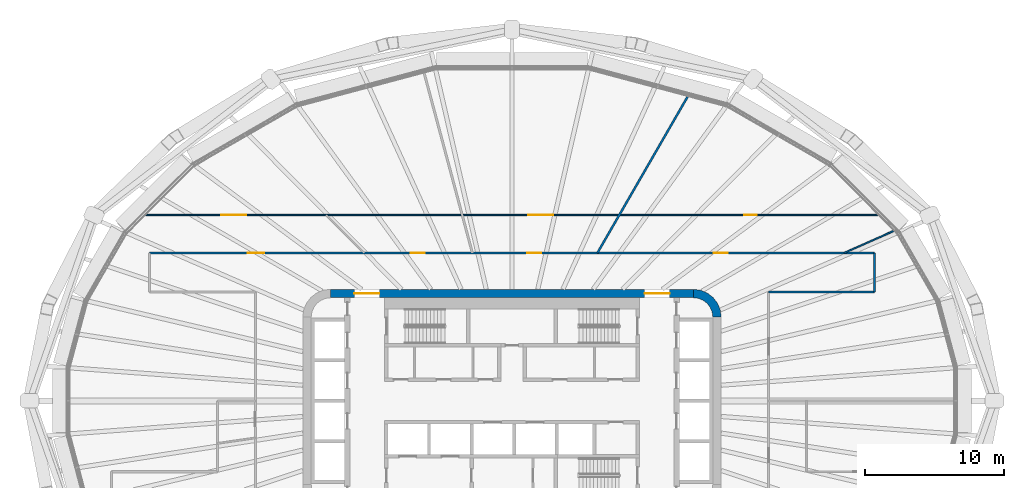
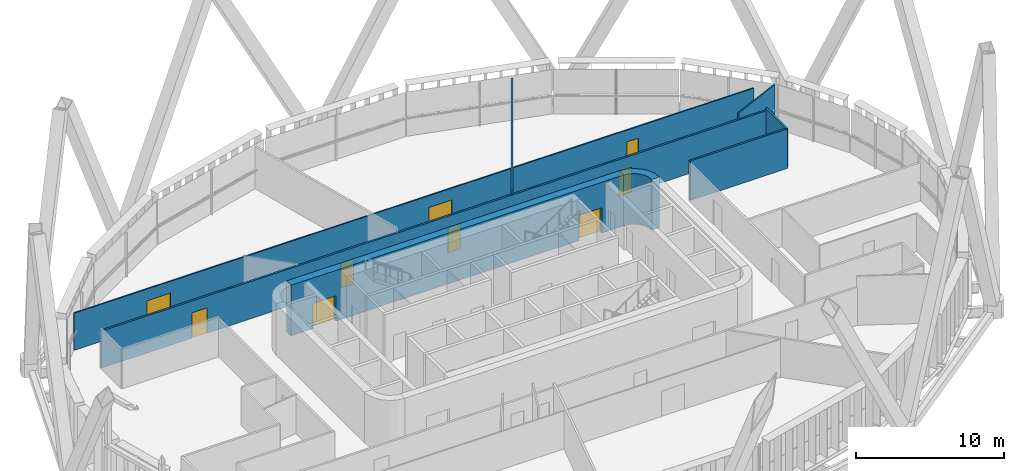
# One storey, part 17 of 25: 9 doors, 8 walls, 9 openings.
"""IFC4 building model written with IfcOpenShell, lengths in metres."""

import ifcopenshell
import ifcopenshell.guid

model = None  # the IFC model being written
_history = None  # IfcOwnerHistory: only IFC2X3 demands one
_inside = {}  # id of a spatial element -> (the spatial element, [elements in it])
_under = {}  # id of a project, library or spatial element -> (it, [spatial elements below it])
_declared = {}  # id of a project -> (the project, [libraries it declares])
_typed = {}  # id of a type object -> (the type object, [elements of that type])
_made_of = {}  # id of a material, layer set ... -> (it, [elements and type objects made of it])


def new_model(schema):
    """Start an empty IFC model of exactly this schema.

    Asked for "IFC4X3", IfcOpenShell would pick the latest addendum, in which some entities
    have other attributes; the version numbers below select the first issue.
    IFC2X3 requires an IfcOwnerHistory on every rooted entity: one is made here for all.
    """
    global model, _history
    if schema == "IFC4X3":
        model = ifcopenshell.file(schema_version=(4, 3, 0, 0))
    else:
        model = ifcopenshell.file(schema=schema)
    _inside.clear()
    _under.clear()
    _declared.clear()
    _typed.clear()
    _made_of.clear()
    _history = None
    if model.schema == "IFC2X3":
        org = make("IfcOrganization", Name="unknown")
        user = make(
            "IfcPersonAndOrganization",
            ThePerson=make("IfcPerson", FamilyName="unknown"),
            TheOrganization=org,
        )
        app = make(
            "IfcApplication",
            ApplicationDeveloper=org,
            Version="unknown",
            ApplicationFullName="unknown",
            ApplicationIdentifier="unknown",
        )
        _history = make(
            "IfcOwnerHistory",
            OwningUser=user,
            OwningApplication=app,
            ChangeAction="ADDED",
            CreationDate=0,
        )
    return model


def make(cls, **values):
    """One entity of the class cls with the attributes given. An attribute that is None is left unset."""
    return model.create_entity(
        cls, **{name: value for name, value in values.items() if value is not None}
    )


def rooted(cls, **values):
    """An entity with a GlobalId (a new one), such as an element, a storey or a relation."""
    return make(cls, GlobalId=ifcopenshell.guid.new(), OwnerHistory=_history, **values)


def si_unit(unit_type, name, prefix=None):
    """IfcSIUnit, for example si_unit("LENGTHUNIT", "METRE", prefix="MILLI")."""
    return make("IfcSIUnit", UnitType=unit_type, Prefix=prefix, Name=name)


def assignment(units):
    """IfcUnitAssignment: the units of a project."""
    return None if units is None else make("IfcUnitAssignment", Units=units)


def point(xyz):
    """IfcCartesianPoint."""
    return None if xyz is None else make("IfcCartesianPoint", Coordinates=xyz)


def direction(xyz):
    """IfcDirection."""
    return None if xyz is None else make("IfcDirection", DirectionRatios=xyz)


def frame(location, z_axis=None, x_axis=None):
    """IfcAxis2Placement3D, a coordinate frame: its origin and axes. An axis left out is left unset."""
    return make(
        "IfcAxis2Placement3D",
        Location=point(location),
        Axis=direction(z_axis),
        RefDirection=direction(x_axis),
    )


def frame_2d(location, x_axis=None):
    """IfcAxis2Placement2D, a coordinate frame in the plane: its origin and x axis."""
    return make(
        "IfcAxis2Placement2D", Location=point(location), RefDirection=direction(x_axis)
    )


def origin():
    """The frame at (0, 0, 0) with its axes left unset."""
    return frame((0.0, 0.0, 0.0))


def place(relative_to, where):
    """IfcLocalPlacement: puts the frame where relative to a parent placement (None: the world)."""
    return make(
        "IfcLocalPlacement", PlacementRelTo=relative_to, RelativePlacement=where
    )


def context(
    kind, dimensions, precision=None, world=None, true_north=None, identifier=None
):
    """IfcGeometricRepresentationContext, for example the 3D "Model" context."""
    return make(
        "IfcGeometricRepresentationContext",
        ContextIdentifier=identifier,
        ContextType=kind,
        CoordinateSpaceDimension=dimensions,
        Precision=precision,
        WorldCoordinateSystem=world,
        TrueNorth=true_north,
    )


def subcontext(parent, identifier, kind, view, scale=None):
    """IfcGeometricRepresentationSubContext, for example "Body" below "Model"."""
    return make(
        "IfcGeometricRepresentationSubContext",
        ContextIdentifier=identifier,
        ContextType=kind,
        ParentContext=parent,
        TargetScale=scale,
        TargetView=view,
    )


def project(units=None, contexts=None):
    """IfcProject with its units and contexts."""
    return rooted(
        "IfcProject",
        Name="project",
        RepresentationContexts=contexts,
        UnitsInContext=assignment(units),
    )


def spatial(cls, under=None, at=None, **own):
    """A site, building, storey or space (cls), placed at a placement, below another one or the project."""
    s = rooted(cls, ObjectPlacement=at, **own)
    if under is not None:
        _under.setdefault(under.id(), (under, []))[1].append(s)
    return s


def polyline(points):
    """IfcPolyline through the points."""
    return make("IfcPolyline", Points=[point(p) for p in points])


def profile(cls, at=None, kind="AREA", **sizes):
    """A parametric profile (cls). Its sizes go by their IFC names, for example OverallWidth=200.0."""
    return make(cls, ProfileType=kind, Position=at, **sizes)


def rectangle(**sizes):
    """IfcRectangleProfileDef."""
    return profile("IfcRectangleProfileDef", **sizes)


def outline(outer, holes=None, kind="AREA"):
    """IfcArbitraryClosedProfileDef: a profile drawn as a closed curve; with holes, ...WithVoids."""
    if holes is None:
        return make("IfcArbitraryClosedProfileDef", ProfileType=kind, OuterCurve=outer)
    return make(
        "IfcArbitraryProfileDefWithVoids",
        ProfileType=kind,
        OuterCurve=outer,
        InnerCurves=holes,
    )


def extrude(swept, where, along, depth):
    """IfcExtrudedAreaSolid: the profile swept, set in the frame where, extruded along a direction by depth."""
    return make(
        "IfcExtrudedAreaSolid",
        SweptArea=swept,
        Position=where,
        ExtrudedDirection=direction(along),
        Depth=depth,
    )


def shape(context_of_items, identifier, shape_type, items):
    """IfcShapeRepresentation: the items that make up one representation, for example the "Body"."""
    return make(
        "IfcShapeRepresentation",
        ContextOfItems=context_of_items,
        RepresentationIdentifier=identifier,
        RepresentationType=shape_type,
        Items=items,
    )


def material(Name=None, Category=None):
    """IfcMaterial."""
    return make("IfcMaterial", Name=Name, Category=Category)


def layer(
    of_material, thickness, ventilated=None, Name=None, Category=None, Priority=None
):
    """IfcMaterialLayer: one layer of a wall or slab, of a material (None: an air gap)."""
    return make(
        "IfcMaterialLayer",
        Material=of_material,
        LayerThickness=thickness,
        IsVentilated=ventilated,
        Name=Name,
        Category=Category,
        Priority=Priority,
    )


def layer_set(layers, Name=None):
    """IfcMaterialLayerSet."""
    return make("IfcMaterialLayerSet", MaterialLayers=layers, LayerSetName=Name)


def made_of(thing, what):
    """Note that an element or type object is made of a material, layer set ...; save() writes the relation."""
    if what is not None:
        _made_of.setdefault(what.id(), (what, []))[1].append(thing)
    return thing


def type_object(cls, material=None, **own):
    """A type object (cls), such as IfcWallType, which elements share."""
    return made_of(rooted(cls, **own), material)


def element(
    cls,
    number,
    at=None,
    inside=None,
    cuts=None,
    type_object=None,
    material=None,
    context=None,
    identifier="Body",
    shape_type=None,
    held_by="IfcProductDefinitionShape",
    body=None,
    shapes=None,
    **own,
):
    """One element of the class cls, such as IfcWall. Its Tag is "e" and its number.

    at: its placement. inside: the storey or other place that contains it. cuts: it is an
    opening in that element (IfcRelVoidsElement). A single representation is given by context,
    identifier, shape_type and body (its items); several are given by shapes. held_by: the class
    of the entity that holds the representations. save() writes the other relations.
    """
    e = rooted(cls, Tag="e%d" % number, ObjectPlacement=at, **own)
    if body is not None:
        shapes = [shape(context, identifier, shape_type, body)]
    if shapes is not None:
        e.Representation = make(held_by, Representations=shapes)
    if inside is not None:
        _inside.setdefault(inside.id(), (inside, []))[1].append(e)
    if cuts is not None:
        rooted(
            "IfcRelVoidsElement", RelatingBuildingElement=cuts, RelatedOpeningElement=e
        )
    if type_object is not None:
        _typed.setdefault(type_object.id(), (type_object, []))[1].append(e)
    return made_of(e, material)


def fill(opening, filler):
    """IfcRelFillsElement: the door or window that sits in an opening."""
    return rooted(
        "IfcRelFillsElement",
        RelatingOpeningElement=opening,
        RelatedBuildingElement=filler,
    )


def aggregate(whole, parts):
    """IfcRelAggregates: a whole, such as a stair, and the parts it consists of."""
    return rooted("IfcRelAggregates", RelatingObject=whole, RelatedObjects=parts)


def save(model, path):
    """Write the relations noted so far, then the file.

    IfcRelAggregates (storeys below a building ...), IfcRelContainedInSpatialStructure (elements
    in a storey), IfcRelDefinesByType, IfcRelAssociatesMaterial and IfcRelDeclares: one each for
    every whole, place, type object, material and project.
    """
    for whole, parts in _under.values():
        aggregate(whole, parts)
    for where, things in _inside.values():
        rooted(
            "IfcRelContainedInSpatialStructure",
            RelatedElements=things,
            RelatingStructure=where,
        )
    for kind, things in _typed.values():
        rooted("IfcRelDefinesByType", RelatedObjects=things, RelatingType=kind)
    for what, things in _made_of.values():
        rooted("IfcRelAssociatesMaterial", RelatedObjects=things, RelatingMaterial=what)
    for by, libraries in _declared.values():
        rooted("IfcRelDeclares", RelatingContext=by, RelatedDefinitions=libraries)
    model.write(path)


model = new_model("IFC4")

# Units and contexts
model_context = context("Model", 3, precision=1e-05, world=origin(), true_north=direction((0.0, 1.0)))
body_context = subcontext(model_context, "Body", "Model", "MODEL_VIEW")
ifc_project = project(units=[si_unit("LENGTHUNIT", "METRE"), si_unit("AREAUNIT", "SQUARE_METRE"), si_unit("VOLUMEUNIT", "CUBIC_METRE"), si_unit("PLANEANGLEUNIT", "RADIAN"), si_unit("MASSUNIT", "GRAM", prefix="KILO")], contexts=[model_context])

# Site, building, storey
site_placement = place(None, origin())
site = spatial("IfcSite", under=ifc_project, at=site_placement, CompositionType="ELEMENT")
building_placement = place(site_placement, origin())
building = spatial("IfcBuilding", under=site, at=building_placement, Name="Sahrelin Media Tower", CompositionType="ELEMENT")
storey_placement = place(building_placement, frame((0.0, 0.0, 114.60009765625)))
storey = spatial("IfcBuildingStorey", under=building, at=storey_placement, Name="L22", CompositionType="ELEMENT", Elevation=114.60009765625)

# Wall, openings, doors
ifc_material_1 = material(Name="Concrete C60/75", Category="concrete")
ifc_layer_1 = layer(ifc_material_1, 0.60009765625)
ifc_layer_set_1 = layer_set([ifc_layer_1], Name="Core wall 600")
wall_type_1 = type_object("IfcWallType", Name="Core wall 600", PredefinedType="SHEAR", material=ifc_layer_set_1)
wall_1_placement = place(storey_placement, frame((-13.0, 7.699951171875, 0.0), z_axis=(0.0, 0.0, 1.0), x_axis=(1.0, 0.0, 0.0)))
wall_1 = element("IfcWall", 1, at=wall_1_placement, inside=storey, type_object=wall_type_1, Name="Core wall N L22", PredefinedType="SHEAR", context=body_context, shape_type="SweptSolid", body=[
    extrude(rectangle(XDim=26.0, YDim=0.60009765625, at=frame_2d((13.0, 0.0))), origin(), (0.0, 0.0, 1.0), 4.199951171875),
])
opening_1_placement = place(wall_1_placement, frame((1.699951171875, 0.0, 0.0)))
opening_1 = element("IfcOpeningElement", 2, at=opening_1_placement, cuts=wall_1, Name="Opening L22-D18", PredefinedType="OPENING", context=body_context, shape_type="SweptSolid", body=[
    extrude(rectangle(XDim=1.800048828125, YDim=2.10009765625, at=frame_2d((0.89990234375, 1.050048828125))), frame((0.0, 0.300048828125, 0.0), z_axis=(0.0, -1.0, 0.0), x_axis=(1.0, 0.0, 0.0)), (0.0, 0.0, 1.0), 0.60009765625),
])
opening_2_placement = place(wall_1_placement, frame((22.5, 0.0, 0.0)))
opening_2 = element("IfcOpeningElement", 3, at=opening_2_placement, cuts=wall_1, Name="Opening L22-D19", PredefinedType="OPENING", context=body_context, shape_type="SweptSolid", body=[
    extrude(rectangle(XDim=1.800048828125, YDim=2.10009765625, at=frame_2d((0.89990234375, 1.050048828125))), frame((0.0, 0.300048828125, 0.0), z_axis=(0.0, -1.0, 0.0), x_axis=(1.0, 0.0, 0.0)), (0.0, 0.0, 1.0), 0.60009765625),
])
ifc_material_2 = material(Name="Steel fire door leaf", Category="steel")
door_type_1 = type_object("IfcDoorType", Name="Lobby double door 1800 x 2100 EI 60", OperationType="DOUBLE_DOOR_SINGLE_SWING", PredefinedType="DOOR", material=ifc_material_2)
door_1_placement = place(opening_1_placement, origin())
door_1 = element("IfcDoor", 4, at=door_1_placement, inside=storey, type_object=door_type_1, Name="Lobby door", OperationType="DOUBLE_DOOR_SINGLE_SWING", OverallHeight=2.10009765625, OverallWidth=1.800048828125, PredefinedType="DOOR", context=body_context, shape_type="SweptSolid", body=[
    extrude(rectangle(XDim=1.800048828125, YDim=2.10009765625, at=frame_2d((0.89990234375, 1.050048828125))), frame((0.0, 0.02490234375, 0.0), z_axis=(0.0, -1.0, 0.0), x_axis=(1.0, 0.0, 0.0)), (0.0, 0.0, 1.0), 0.050048828125),
])
fill(opening_1, door_1)
door_2_placement = place(opening_2_placement, origin())
door_2 = element("IfcDoor", 5, at=door_2_placement, inside=storey, type_object=door_type_1, Name="Lobby door", OperationType="DOUBLE_DOOR_SINGLE_SWING", OverallHeight=2.10009765625, OverallWidth=1.800048828125, PredefinedType="DOOR", context=body_context, shape_type="SweptSolid", body=[
    extrude(rectangle(XDim=1.800048828125, YDim=2.10009765625, at=frame_2d((0.89990234375, 1.050048828125))), frame((0.0, 0.02490234375, 0.0), z_axis=(0.0, -1.0, 0.0), x_axis=(1.0, 0.0, 0.0)), (0.0, 0.0, 1.0), 0.050048828125),
])
fill(opening_2, door_2)

# Walls
wall_2_placement = place(storey_placement, origin())
element("IfcWall", 6, at=wall_2_placement, inside=storey, type_object=wall_type_1, Name="Core wall corner NE L22", PredefinedType="SHEAR", context=body_context, shape_type="SweptSolid", body=[
    extrude(outline(polyline([(13.0, 8.0), (13.0, 7.394775390625), (13.361083984375, 7.347412109375), (13.697509765625, 7.2080078125), (13.986328125, 6.986328125), (14.2080078125, 6.697509765625), (14.347412109375, 6.361083984375), (14.394775390625, 6.0), (15.0, 6.0), (14.931884765625, 6.517578125), (14.732177734375, 7.0), (14.414306640625, 7.414306640625), (14.0, 7.732177734375), (13.517578125, 7.931884765625), (13.0, 8.0)])), origin(), (0.0, 0.0, 1.0), 4.199951171875),
])
ifc_material_3 = material(Name="Fire-rated gypsum board partition")
ifc_layer_2 = layer(ifc_material_3, 0.14990234375)
ifc_layer_set_2 = layer_set([ifc_layer_2], Name="Fire-rated partition 150")
wall_type_2 = type_object("IfcWallType", Name="Fire-rated partition 150", PredefinedType="PARTITIONING", material=ifc_layer_set_2)
wall_3_placement = place(storey_placement, frame((18.39990234375, 7.800048828125, 0.0), z_axis=(0.0, 0.0, 1.0), x_axis=(1.0, 0.0, 0.0)))
element("IfcWall", 7, at=wall_3_placement, inside=storey, type_object=wall_type_2, Name="Wall", PredefinedType="PARTITIONING", context=body_context, shape_type="SweptSolid", body=[
    extrude(rectangle(XDim=7.60009765625, YDim=0.14990234375, at=frame_2d((3.800048828125, 0.0))), origin(), (0.0, 0.0, 1.0), 3.27587890625),
])

# Wall, openings, doors
wall_4_placement = place(storey_placement, frame((-26.0, 10.60009765625, 0.0), z_axis=(0.0, 0.0, 1.0), x_axis=(1.0, 0.0, 0.0)))
wall_4 = element("IfcWall", 8, at=wall_4_placement, inside=storey, type_object=wall_type_2, Name="Wall", PredefinedType="PARTITIONING", context=body_context, shape_type="SweptSolid", body=[
    extrude(rectangle(XDim=52.0, YDim=0.14990234375, at=frame_2d((26.0, 0.0))), origin(), (0.0, 0.0, 1.0), 3.076904296875),
])
opening_3_placement = place(wall_4_placement, frame((18.7294921875, 0.0, 0.0)))
opening_3 = element("IfcOpeningElement", 9, at=opening_3_placement, cuts=wall_4, Name="Opening L22-D22", PredefinedType="OPENING", context=body_context, shape_type="SweptSolid", body=[
    extrude(rectangle(XDim=1.0, YDim=2.10009765625, at=frame_2d((0.5, 1.050048828125))), frame((0.0, 0.074951171875, 0.0), z_axis=(0.0, -1.0, 0.0), x_axis=(1.0, 0.0, 0.0)), (0.0, 0.0, 1.0), 0.14990234375),
])
opening_4_placement = place(wall_4_placement, frame((7.049560546875, 0.0, 0.0)))
opening_4 = element("IfcOpeningElement", 10, at=opening_4_placement, cuts=wall_4, Name="Opening L22-D23", PredefinedType="OPENING", context=body_context, shape_type="SweptSolid", body=[
    extrude(rectangle(XDim=1.199951171875, YDim=2.10009765625, at=frame_2d((0.60009765625, 1.050048828125))), frame((0.0, 0.074951171875, 0.0), z_axis=(0.0, -1.0, 0.0), x_axis=(1.0, 0.0, 0.0)), (0.0, 0.0, 1.0), 0.14990234375),
])
opening_5_placement = place(wall_4_placement, frame((40.464111328125, 0.0, 0.0)))
opening_5 = element("IfcOpeningElement", 11, at=opening_5_placement, cuts=wall_4, Name="Opening L22-D36", PredefinedType="OPENING", context=body_context, shape_type="SweptSolid", body=[
    extrude(rectangle(XDim=1.0, YDim=2.10009765625, at=frame_2d((0.5, 1.050048828125))), frame((0.0, 0.074951171875, 0.0), z_axis=(0.0, -1.0, 0.0), x_axis=(1.0, 0.0, 0.0)), (0.0, 0.0, 1.0), 0.14990234375),
])
opening_6_placement = place(wall_4_placement, frame((27.089599609375, 0.0, 0.0)))
opening_6 = element("IfcOpeningElement", 12, at=opening_6_placement, cuts=wall_4, Name="Opening L22-D38", PredefinedType="OPENING", context=body_context, shape_type="SweptSolid", body=[
    extrude(rectangle(XDim=1.0, YDim=2.10009765625, at=frame_2d((0.5, 1.050048828125))), frame((0.0, 0.074951171875, 0.0), z_axis=(0.0, -1.0, 0.0), x_axis=(1.0, 0.0, 0.0)), (0.0, 0.0, 1.0), 0.14990234375),
])
door_type_2 = type_object("IfcDoorType", Name="Fire door 1000 x 2100 EI 60", OperationType="NOTDEFINED", PredefinedType="DOOR", material=ifc_material_2)
door_3_placement = place(opening_3_placement, origin())
door_3 = element("IfcDoor", 13, at=door_3_placement, inside=storey, type_object=door_type_2, Name="Fire door", OperationType="SINGLE_SWING_RIGHT", OverallHeight=2.10009765625, OverallWidth=1.0, PredefinedType="DOOR", context=body_context, shape_type="SweptSolid", body=[
    extrude(rectangle(XDim=1.0, YDim=2.10009765625, at=frame_2d((0.5, 1.050048828125))), frame((0.0, 0.02490234375, 0.0), z_axis=(0.0, -1.0, 0.0), x_axis=(1.0, 0.0, 0.0)), (0.0, 0.0, 1.0), 0.050048828125),
])
fill(opening_3, door_3)
door_4_placement = place(opening_5_placement, origin())
door_4 = element("IfcDoor", 14, at=door_4_placement, inside=storey, type_object=door_type_2, Name="Fire door", OperationType="SINGLE_SWING_LEFT", OverallHeight=2.10009765625, OverallWidth=1.0, PredefinedType="DOOR", context=body_context, shape_type="SweptSolid", body=[
    extrude(rectangle(XDim=1.0, YDim=2.10009765625, at=frame_2d((0.5, 1.050048828125))), frame((0.0, 0.02490234375, 0.0), z_axis=(0.0, -1.0, 0.0), x_axis=(1.0, 0.0, 0.0)), (0.0, 0.0, 1.0), 0.050048828125),
])
fill(opening_5, door_4)
door_5_placement = place(opening_6_placement, origin())
door_5 = element("IfcDoor", 15, at=door_5_placement, inside=storey, type_object=door_type_2, Name="Fire door", OperationType="SINGLE_SWING_LEFT", OverallHeight=2.10009765625, OverallWidth=1.0, PredefinedType="DOOR", context=body_context, shape_type="SweptSolid", body=[
    extrude(rectangle(XDim=1.0, YDim=2.10009765625, at=frame_2d((0.5, 1.050048828125))), frame((0.0, 0.02490234375, 0.0), z_axis=(0.0, -1.0, 0.0), x_axis=(1.0, 0.0, 0.0)), (0.0, 0.0, 1.0), 0.050048828125),
])
fill(opening_6, door_5)
door_type_3 = type_object("IfcDoorType", Name="Service double door 1200 x 2100 EI 60", OperationType="DOUBLE_DOOR_SINGLE_SWING", PredefinedType="DOOR", material=ifc_material_2)
door_6_placement = place(opening_4_placement, origin())
door_6 = element("IfcDoor", 16, at=door_6_placement, inside=storey, type_object=door_type_3, Name="Service double door", OperationType="DOUBLE_DOOR_SINGLE_SWING", OverallHeight=2.10009765625, OverallWidth=1.199951171875, PredefinedType="DOOR", context=body_context, shape_type="SweptSolid", body=[
    extrude(rectangle(XDim=1.199951171875, YDim=2.10009765625, at=frame_2d((0.60009765625, 1.050048828125))), frame((0.0, 0.02490234375, 0.0), z_axis=(0.0, -1.0, 0.0), x_axis=(1.0, 0.0, 0.0)), (0.0, 0.0, 1.0), 0.050048828125),
])
fill(opening_4, door_6)

# Walls
wall_5_placement = place(storey_placement, frame((6.1201171875, 10.60009765625, 0.0), z_axis=(0.0, 0.0, 1.0), x_axis=(0.499961617088, 0.866047563035, 0.0)))
element("IfcWall", 17, at=wall_5_placement, inside=storey, type_object=wall_type_2, Name="Wall", PredefinedType="PARTITIONING", context=body_context, shape_type="SweptSolid", body=[
    extrude(rectangle(XDim=13.19580078125, YDim=0.14990234375, at=frame_2d((6.597900390625, 0.0))), origin(), (0.0, 0.0, 1.0), 3.45166015625),
])
wall_6_placement = place(storey_placement, frame((26.0, 7.800048828125, 0.0), z_axis=(0.0, 0.0, 1.0), x_axis=(0.0, 1.0, 0.0)))
element("IfcWall", 18, at=wall_6_placement, inside=storey, type_object=wall_type_2, Name="Wall", PredefinedType="PARTITIONING", context=body_context, shape_type="SweptSolid", body=[
    extrude(rectangle(XDim=2.800048828125, YDim=0.14990234375, at=frame_2d((1.39990234375, 0.0))), origin(), (0.0, 0.0, 1.0), 3.27587890625),
])

# Wall, openings, doors
ifc_material_4 = material(Name="Gypsum board partition")
ifc_layer_3 = layer(ifc_material_4, 0.10009765625)
ifc_layer_set_3 = layer_set([ifc_layer_3], Name="Partition 100")
wall_type_3 = type_object("IfcWallType", Name="Partition 100", PredefinedType="PARTITIONING", material=ifc_layer_set_3)
wall_7_placement = place(storey_placement, frame((-26.5859375, 13.320068359375, 0.0), z_axis=(0.0, 0.0, 1.0), x_axis=(1.0, 0.0, 0.0)))
wall_7 = element("IfcWall", 19, at=wall_7_placement, inside=storey, type_object=wall_type_3, Name="Wall", PredefinedType="PARTITIONING", context=body_context, shape_type="SweptSolid", body=[
    extrude(rectangle(XDim=53.171875, YDim=0.10009765625, at=frame_2d((26.5859375, 0.0))), origin(), (0.0, 0.0, 1.0), 3.076904296875),
])
opening_7_placement = place(wall_7_placement, frame((5.73291015625, 0.0, 0.0)))
opening_7 = element("IfcOpeningElement", 20, at=opening_7_placement, cuts=wall_7, Name="Opening L22-D24", PredefinedType="OPENING", context=body_context, shape_type="SweptSolid", body=[
    extrude(rectangle(XDim=1.800048828125, YDim=2.10009765625, at=frame_2d((0.89990234375, 1.050048828125))), frame((0.0, 0.050048828125, 0.0), z_axis=(0.0, -1.0, 0.0), x_axis=(1.0, 0.0, 0.0)), (0.0, 0.0, 1.0), 0.10009765625),
])
opening_8_placement = place(wall_7_placement, frame((43.2236328125, 0.0, 0.0)))
opening_8 = element("IfcOpeningElement", 21, at=opening_8_placement, cuts=wall_7, Name="Opening L22-D37", PredefinedType="OPENING", context=body_context, shape_type="SweptSolid", body=[
    extrude(rectangle(XDim=0.89990234375, YDim=2.10009765625, at=frame_2d((0.449951171875, 1.050048828125))), frame((0.0, 0.050048828125, 0.0), z_axis=(0.0, -1.0, 0.0), x_axis=(1.0, 0.0, 0.0)), (0.0, 0.0, 1.0), 0.10009765625),
])
opening_9_placement = place(wall_7_placement, frame((27.74658203125, 0.0, 0.0)))
opening_9 = element("IfcOpeningElement", 22, at=opening_9_placement, cuts=wall_7, Name="Opening L22-D39", PredefinedType="OPENING", context=body_context, shape_type="SweptSolid", body=[
    extrude(rectangle(XDim=1.800048828125, YDim=2.10009765625, at=frame_2d((0.89990234375, 1.050048828125))), frame((0.0, 0.050048828125, 0.0), z_axis=(0.0, -1.0, 0.0), x_axis=(1.0, 0.0, 0.0)), (0.0, 0.0, 1.0), 0.10009765625),
])
ifc_material_5 = material(Name="Timber door leaf", Category="wood")
door_type_4 = type_object("IfcDoorType", Name="Double door 1800 x 2100", OperationType="DOUBLE_DOOR_SINGLE_SWING", PredefinedType="DOOR", material=ifc_material_5)
door_7_placement = place(opening_7_placement, origin())
door_7 = element("IfcDoor", 23, at=door_7_placement, inside=storey, type_object=door_type_4, Name="Double door", OperationType="DOUBLE_DOOR_SINGLE_SWING", OverallHeight=2.10009765625, OverallWidth=1.800048828125, PredefinedType="DOOR", context=body_context, shape_type="SweptSolid", body=[
    extrude(rectangle(XDim=1.800048828125, YDim=2.10009765625, at=frame_2d((0.89990234375, 1.050048828125))), frame((0.0, 0.02490234375, 0.0), z_axis=(0.0, -1.0, 0.0), x_axis=(1.0, 0.0, 0.0)), (0.0, 0.0, 1.0), 0.050048828125),
])
fill(opening_7, door_7)
door_8_placement = place(opening_9_placement, origin())
door_8 = element("IfcDoor", 24, at=door_8_placement, inside=storey, type_object=door_type_4, Name="Double door", OperationType="DOUBLE_DOOR_SINGLE_SWING", OverallHeight=2.10009765625, OverallWidth=1.800048828125, PredefinedType="DOOR", context=body_context, shape_type="SweptSolid", body=[
    extrude(rectangle(XDim=1.800048828125, YDim=2.10009765625, at=frame_2d((0.89990234375, 1.050048828125))), frame((0.0, 0.02490234375, 0.0), z_axis=(0.0, -1.0, 0.0), x_axis=(1.0, 0.0, 0.0)), (0.0, 0.0, 1.0), 0.050048828125),
])
fill(opening_9, door_8)
door_type_5 = type_object("IfcDoorType", Name="Single door 900 x 2100", OperationType="NOTDEFINED", PredefinedType="DOOR", material=ifc_material_5)
door_9_placement = place(opening_8_placement, origin())
door_9 = element("IfcDoor", 25, at=door_9_placement, inside=storey, type_object=door_type_5, Name="Single door", OperationType="SINGLE_SWING_RIGHT", OverallHeight=2.10009765625, OverallWidth=0.89990234375, PredefinedType="DOOR", context=body_context, shape_type="SweptSolid", body=[
    extrude(rectangle(XDim=0.89990234375, YDim=2.10009765625, at=frame_2d((0.449951171875, 1.050048828125))), frame((0.0, 0.02490234375, 0.0), z_axis=(0.0, -1.0, 0.0), x_axis=(1.0, 0.0, 0.0)), (0.0, 0.0, 1.0), 0.050048828125),
])
fill(opening_8, door_9)

# Wall
wall_8_placement = place(storey_placement, frame((23.80810546875, 10.60009765625, 0.0), z_axis=(0.0, 0.0, 1.0), x_axis=(0.913526027042, 0.406780282114, 0.0)))
element("IfcWall", 26, at=wall_8_placement, inside=storey, type_object=wall_type_3, Name="Wall", PredefinedType="PARTITIONING", context=body_context, shape_type="SweptSolid", body=[
    extrude(rectangle(XDim=4.1640625, YDim=0.10009765625, at=frame_2d((2.08203125, 0.0))), origin(), (0.0, 0.0, 1.0), 3.625),
])

save(model, "model.ifc")
